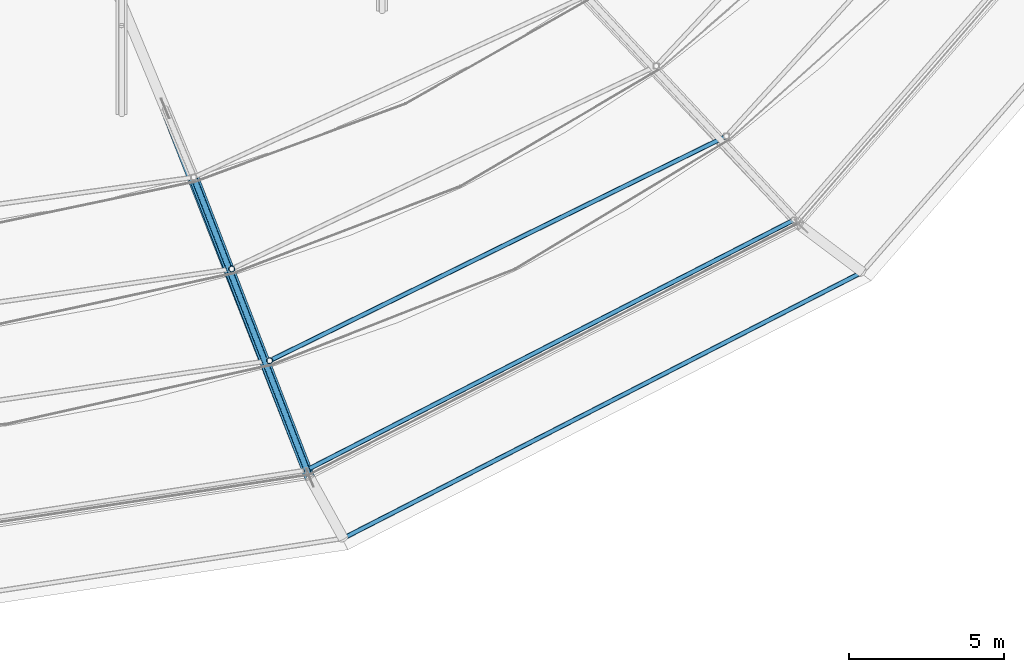
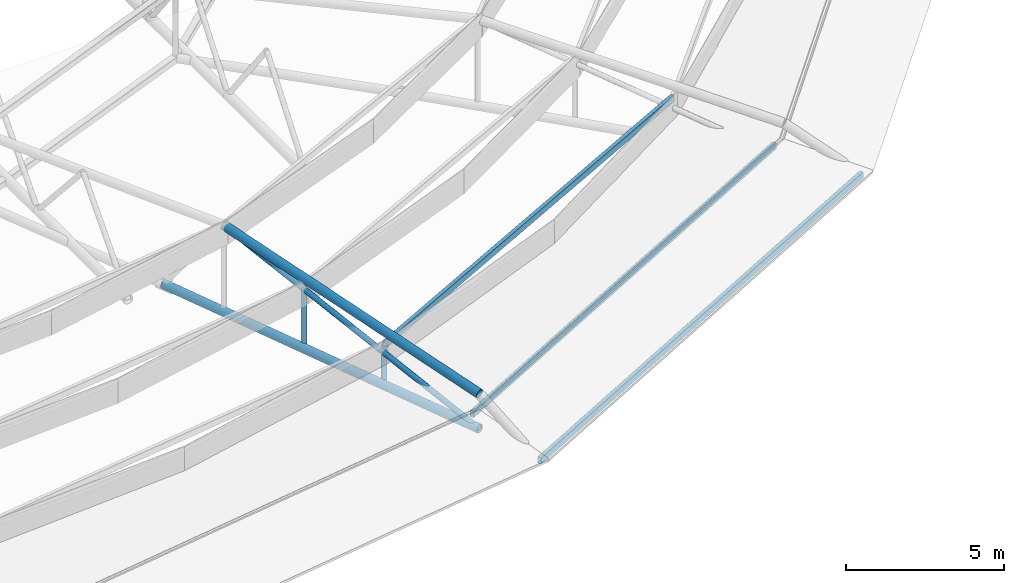
# One storey, part 27 of 134: 5 members, 3 beams.
"""IFC4 building model written with IfcOpenShell, lengths in metres."""

from ifc_helpers import new_model, si_unit, derived_unit, direction, frame, origin, origin_2d, place, context, subcontext, project, spatial, hollow_rectangle, hollow_circle, extrude, material, material_profile, profile_set, type_object, element, save


model = new_model("IFC4")

# Units and contexts
model_context = context("Model", 3, precision=1e-05, world=origin(), true_north=direction((0.0, 1.0)))
body_context = subcontext(model_context, "Body", "Model", "MODEL_VIEW")
ifc_project = project(units=[si_unit("LENGTHUNIT", "METRE"), si_unit("AREAUNIT", "SQUARE_METRE"), si_unit("VOLUMEUNIT", "CUBIC_METRE"), si_unit("PLANEANGLEUNIT", "RADIAN"), si_unit("MASSUNIT", "GRAM", prefix="KILO"), derived_unit("THERMALTRANSMITTANCEUNIT", [(si_unit("MASSUNIT", "GRAM", prefix="KILO"), 1), (si_unit("TIMEUNIT", "SECOND"), -3), (si_unit("THERMODYNAMICTEMPERATUREUNIT", "KELVIN"), -1)])], contexts=[model_context])

# Site, building, storey
site_placement = place(None, origin())
site = spatial("IfcSite", under=ifc_project, at=site_placement, CompositionType="ELEMENT")
building_placement = place(site_placement, origin())
building = spatial("IfcBuilding", under=site, at=building_placement, Name="Kharveza Railside Sports Centre", CompositionType="ELEMENT")
storey_placement = place(building_placement, frame((0.0, 0.0, 12.89990234375)))
storey = spatial("IfcBuildingStorey", under=building, at=storey_placement, Name="L03", CompositionType="ELEMENT", Elevation=12.89990234375)

# Beams
ifc_material = material(Name="Steel S355J2", Category="steel")
ifc_material_profile_1 = material_profile(ifc_material, hollow_rectangle(XDim=0.14990234375, YDim=0.25, WallThickness=0.010009765625, InnerFilletRadius=0.010009765625, OuterFilletRadius=0.02001953125, at=origin_2d()), Name="RHS 150x250x10.0")
ifc_profile_set_1 = profile_set([ifc_material_profile_1], Name="Steel S355J2")
beam_type = type_object("IfcBeamType", Name="BM-SP04", PredefinedType="SPANDREL", material=ifc_profile_set_1)
beam_1_placement = place(storey_placement, frame((73.148681640625, 16.0068359375, 0.405029296875), z_axis=(0.889684255974, 0.456576307612, 0.0), x_axis=(-0.456576307612, 0.889684255974, 0.0)))
element("IfcBeam", 1, at=beam_1_placement, inside=storey, type_object=beam_type, Name="BM-LIDRING-S1-14", PredefinedType="SPANDREL", context=body_context, shape_type="SweptSolid", body=[
    extrude(hollow_rectangle(XDim=0.14990234375, YDim=0.25, WallThickness=0.010009765625, InnerFilletRadius=0.010009765625, OuterFilletRadius=0.02001953125, at=origin_2d()), origin(), (0.0, 0.0, 1.0), 17.674560546875),
])
beam_2_placement = place(storey_placement, frame((71.973876953125, 19.54248046875, 1.35498046875), z_axis=(0.897432424779, 0.441151949962, 0.0), x_axis=(-0.441151949962, 0.897432424779, 0.0)))
element("IfcBeam", 2, at=beam_2_placement, inside=storey, type_object=beam_type, Name="BM-LIDRING-S2-14", PredefinedType="SPANDREL", context=body_context, shape_type="SweptSolid", body=[
    extrude(hollow_rectangle(XDim=0.14990234375, YDim=0.25, WallThickness=0.010009765625, InnerFilletRadius=0.010009765625, OuterFilletRadius=0.02001953125, at=origin_2d()), origin(), (0.0, 0.0, 1.0), 16.412109375),
])
beam_3_placement = place(storey_placement, frame((74.346435546875, 13.814453125, -0.47998046875), z_axis=(0.889828406465, 0.456295306844, 0.0), x_axis=(-0.456295306844, 0.889828406465, 0.0)))
element("IfcBeam", 3, at=beam_3_placement, inside=storey, type_object=beam_type, Name="BM-LIDRING-RIM-14", PredefinedType="SPANDREL", context=body_context, shape_type="SweptSolid", body=[
    extrude(hollow_rectangle(XDim=0.14990234375, YDim=0.25, WallThickness=0.010009765625, InnerFilletRadius=0.010009765625, OuterFilletRadius=0.02001953125, at=origin_2d()), origin(), (0.0, 0.0, 1.0), 18.81298828125),
])

# Members
ifc_material_profile_2 = material_profile(ifc_material, hollow_circle(Radius=0.161865234375, WallThickness=0.01611328125, at=origin_2d()), Name="CHS 323.9x16.0")
ifc_profile_set_2 = profile_set([ifc_material_profile_2], Name="Steel S355J2")
member_type_1 = type_object("IfcMemberType", Name="MB-CH02", PredefinedType="CHORD", material=ifc_profile_set_2)
member_1_placement = place(storey_placement, frame((68.606201171875, 27.672607421875, -0.0498046875), z_axis=(0.364741645543, -0.931108764864, 0.0), x_axis=(0.931108764864, 0.364741645543, 0.0)))
element("IfcMember", 4, at=member_1_placement, inside=storey, type_object=member_type_1, Name="MB-OUT-BC2-14", PredefinedType="CHORD", context=body_context, shape_type="SweptSolid", body=[
    extrude(hollow_circle(Radius=0.161865234375, WallThickness=0.01611328125, at=origin_2d()), origin(), (0.0, 0.0, 1.0), 12.800048828125),
])
member_2_placement = place(storey_placement, frame((69.524658203125, 25.455322265625, 3.25), z_axis=(0.354404889176, -0.916755307039, -0.184273930724), x_axis=(0.93272834986, 0.360579846035, 0.0)))
element("IfcMember", 5, at=member_2_placement, inside=storey, type_object=member_type_1, Name="MB-OUT-TC2-14", PredefinedType="CHORD", context=body_context, shape_type="SweptSolid", body=[
    extrude(hollow_circle(Radius=0.161865234375, WallThickness=0.01611328125, at=origin_2d()), origin(), (0.0, 0.0, 1.0), 10.581787109375),
])
ifc_material_profile_3 = material_profile(ifc_material, hollow_circle(Radius=0.096923828125, WallThickness=0.010009765625, at=origin_2d()), Name="CHS 193.7x10.0")
ifc_profile_set_3 = profile_set([ifc_material_profile_3], Name="Steel S355J2")
member_type_2 = type_object("IfcMemberType", Name="MB-ST02", PredefinedType="STRUT", material=ifc_profile_set_3)
member_3_placement = place(storey_placement, frame((71.973876953125, 19.54248046875, -0.0498046875), z_axis=(0.0, 0.0, 1.0), x_axis=(1.0, 0.0, 0.0)))
element("IfcMember", 6, at=member_3_placement, inside=storey, type_object=member_type_2, Name="MB-LIDPOST-S2-14", PredefinedType="STRUT", context=body_context, shape_type="SweptSolid", body=[
    extrude(hollow_circle(Radius=0.096923828125, WallThickness=0.010009765625, at=origin_2d()), origin(), (0.0, 0.0, 1.0), 1.40478515625),
])
member_4_placement = place(storey_placement, frame((70.749267578125, 22.498779296875, -0.0498046875), z_axis=(0.0, 0.0, 1.0), x_axis=(1.0, 0.0, 0.0)))
element("IfcMember", 7, at=member_4_placement, inside=storey, type_object=member_type_2, Name="MB-LIDPOST-S3-14", PredefinedType="STRUT", context=body_context, shape_type="SweptSolid", body=[
    extrude(hollow_circle(Radius=0.096923828125, WallThickness=0.010009765625, at=origin_2d()), origin(), (0.0, 0.0, 1.0), 2.35498046875),
])
member_5_placement = place(storey_placement, frame((69.524658203125, 25.455322265625, 3.25), z_axis=(0.34369617862, -0.88905459654, -0.302415047863), x_axis=(0.93272834986, 0.360579846035, 0.0)))
element("IfcMember", 8, at=member_5_placement, inside=storey, type_object=member_type_2, Name="MB-OUT-WEB-14-3", PredefinedType="STRUT", context=body_context, shape_type="SweptSolid", body=[
    extrude(hollow_circle(Radius=0.096923828125, WallThickness=0.010009765625, at=origin_2d()), origin(), (0.0, 0.0, 1.0), 10.91162109375),
])

save(model, "model.ifc")
